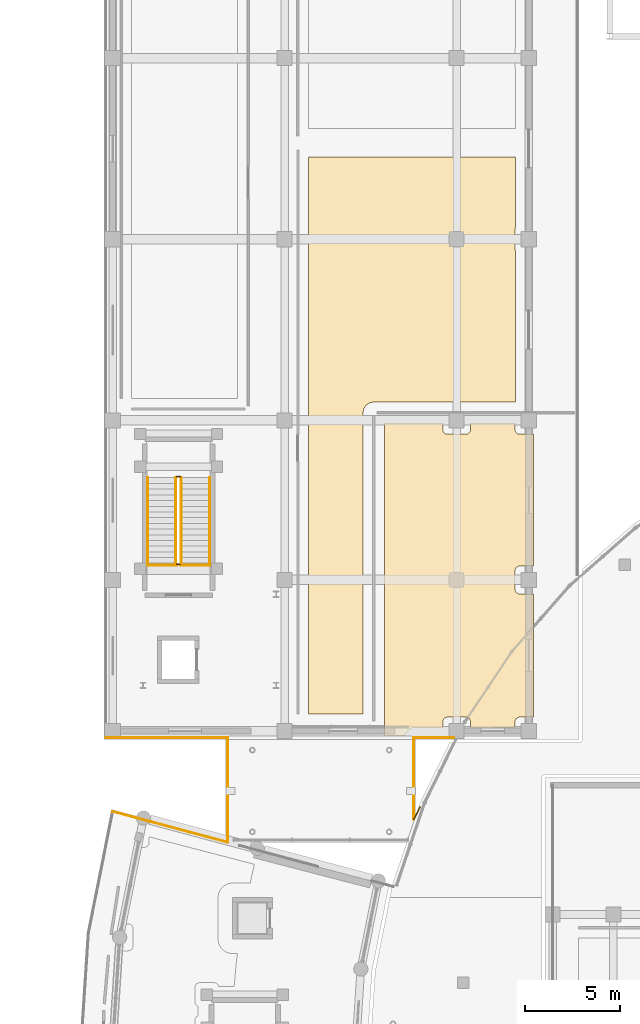
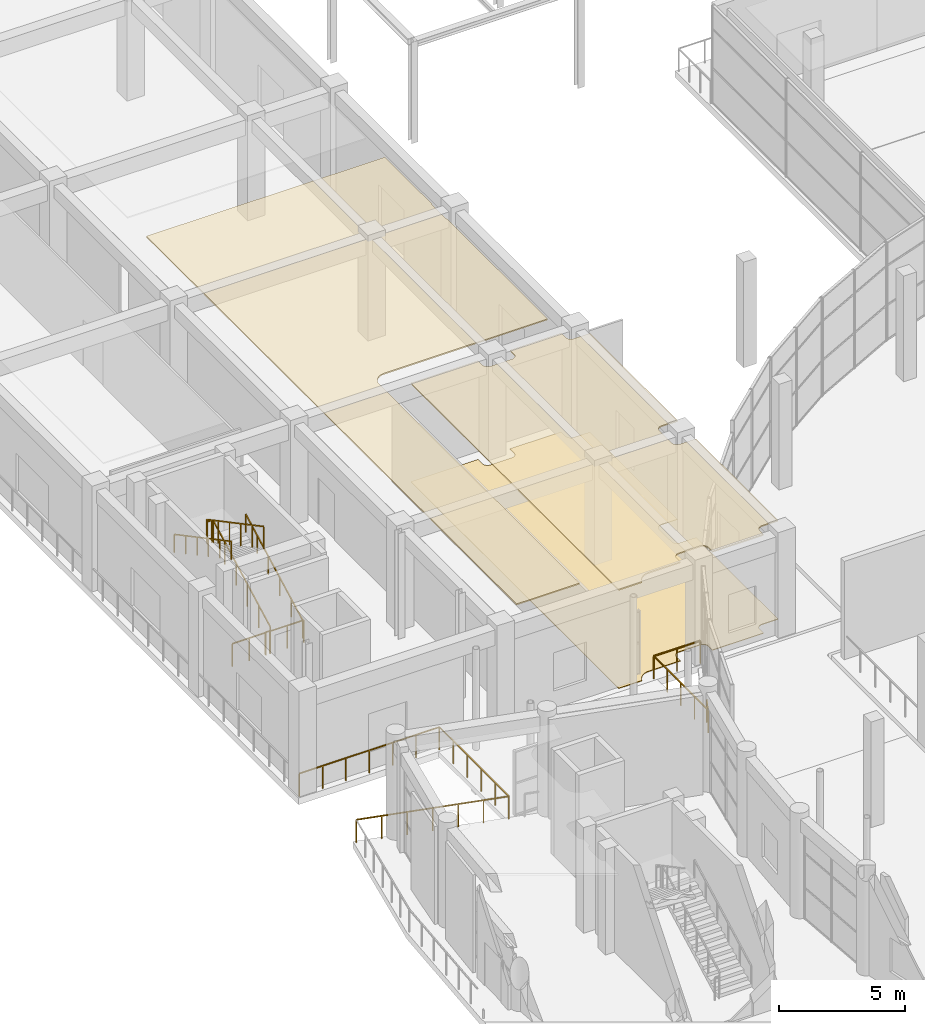
# One storey, part 90 of 99: 14 railings, 3 coverings.
"""IFC4 building model written with IfcOpenShell, lengths in metres."""

from ifc_helpers import new_model, si_unit, direction, frame, origin, origin_2d, place, context, subcontext, project, spatial, polyline, rectangle, outline, extrude, material, layer, layer_set, type_object, element, save


model = new_model("IFC4")

# Units and contexts
model_context = context("Model", 3, precision=1e-05, world=origin(), true_north=direction((0.0, 1.0)))
body_context = subcontext(model_context, "Body", "Model", "MODEL_VIEW")
ifc_project = project(units=[si_unit("LENGTHUNIT", "METRE"), si_unit("AREAUNIT", "SQUARE_METRE"), si_unit("VOLUMEUNIT", "CUBIC_METRE"), si_unit("PLANEANGLEUNIT", "RADIAN"), si_unit("MASSUNIT", "GRAM", prefix="KILO")], contexts=[model_context])

# Site, building, storey
site_placement = place(None, origin())
site = spatial("IfcSite", under=ifc_project, at=site_placement, CompositionType="ELEMENT")
building_placement = place(site_placement, origin())
building = spatial("IfcBuilding", under=site, at=building_placement, Name="Saryqyr Civic Hall", CompositionType="ELEMENT")
storey_placement = place(building_placement, origin())
storey = spatial("IfcBuildingStorey", under=building, at=storey_placement, Name="L00", CompositionType="ELEMENT", Elevation=0.0)

# Coverings
ifc_material_1 = material(Name="Mineral-fibre acoustic ceiling tile", Category="acoustic_tile")
ifc_layer_1 = layer(ifc_material_1, 0.06005859375, Name="Mineral-fibre acoustic ceiling tile")
ifc_layer_set_1 = layer_set([ifc_layer_1], Name="Mineral-fibre acoustic ceiling tile")
covering_type_1 = type_object("IfcCoveringType", Name="INT-COV-CEIL-60", PredefinedType="CEILING", material=ifc_layer_set_1)
covering_1_placement = place(storey_placement, frame((0.0, 0.0, 4.739990234375)))
element("IfcCovering", 1, at=covering_1_placement, inside=storey, type_object=covering_type_1, Name="Acoustic ceiling West Civic Exhibition Gallery", PredefinedType="CEILING", context=body_context, shape_type="SweptSolid", body=[
    extrude(outline(polyline([(22.35009765625, 117.449951171875), (25.419921875, 117.449951171875), (25.419921875, 117.1201171875), (25.421142578125, 117.095458984375), (25.4248046875, 117.0712890625), (25.430908203125, 117.04736328125), (25.43896484375, 117.0244140625), (25.449462890625, 117.002197265625), (25.462158203125, 116.981201171875), (25.476806640625, 116.96142578125), (25.4931640625, 116.943115234375), (25.511474609375, 116.9267578125), (25.531005859375, 116.912109375), (25.55224609375, 116.8994140625), (25.57421875, 116.888916015625), (25.597412109375, 116.880859375), (25.62109375, 116.874755859375), (25.6455078125, 116.87109375), (25.669921875, 116.8701171875), (26.6298828125, 116.8701171875), (26.654541015625, 116.87109375), (26.6787109375, 116.874755859375), (26.70263671875, 116.880859375), (26.7255859375, 116.888916015625), (26.747802734375, 116.8994140625), (26.768798828125, 116.912109375), (26.78857421875, 116.9267578125), (26.806884765625, 116.943115234375), (26.8232421875, 116.96142578125), (26.837890625, 116.981201171875), (26.8505859375, 117.002197265625), (26.861083984375, 117.0244140625), (26.869140625, 117.04736328125), (26.875244140625, 117.0712890625), (26.87890625, 117.095458984375), (26.8798828125, 117.1201171875), (26.8798828125, 117.449951171875), (29.219970703125, 117.449951171875), (29.219970703125, 117.1201171875), (29.22119140625, 117.095458984375), (29.224853515625, 117.0712890625), (29.230712890625, 117.04736328125), (29.239013671875, 117.0244140625), (29.24951171875, 117.002197265625), (29.26220703125, 116.981201171875), (29.276611328125, 116.96142578125), (29.293212890625, 116.943115234375), (29.311279296875, 116.9267578125), (29.3310546875, 116.912109375), (29.352294921875, 116.8994140625), (29.374267578125, 116.888916015625), (29.3974609375, 116.880859375), (29.421142578125, 116.874755859375), (29.445556640625, 116.87109375), (29.469970703125, 116.8701171875), (30.199951171875, 116.8701171875), (30.199951171875, 109.929931640625), (29.469970703125, 109.929931640625), (29.445556640625, 109.9287109375), (29.421142578125, 109.92529296875), (29.3974609375, 109.919189453125), (29.374267578125, 109.910888671875), (29.352294921875, 109.900390625), (29.3310546875, 109.887939453125), (29.311279296875, 109.873291015625), (29.293212890625, 109.856689453125), (29.276611328125, 109.838623046875), (29.26220703125, 109.81884765625), (29.24951171875, 109.7978515625), (29.239013671875, 109.775634765625), (29.230712890625, 109.752685546875), (29.224853515625, 109.728759765625), (29.22119140625, 109.70458984375), (29.219970703125, 109.679931640625), (29.219970703125, 108.719970703125), (29.22119140625, 108.695556640625), (29.224853515625, 108.671142578125), (29.230712890625, 108.6474609375), (29.239013671875, 108.624267578125), (29.24951171875, 108.602294921875), (29.26220703125, 108.5810546875), (29.276611328125, 108.561279296875), (29.293212890625, 108.543212890625), (29.311279296875, 108.526611328125), (29.3310546875, 108.51220703125), (29.352294921875, 108.49951171875), (29.374267578125, 108.489013671875), (29.3974609375, 108.480712890625), (29.421142578125, 108.474853515625), (29.445556640625, 108.47119140625), (29.469970703125, 108.469970703125), (30.199951171875, 108.469970703125), (30.199951171875, 101.97998046875), (29.469970703125, 101.97998046875), (29.445556640625, 101.978759765625), (29.421142578125, 101.97509765625), (29.3974609375, 101.96923828125), (29.374267578125, 101.9609375), (29.352294921875, 101.950439453125), (29.3310546875, 101.93798828125), (29.311279296875, 101.92333984375), (29.293212890625, 101.90673828125), (29.276611328125, 101.888671875), (29.26220703125, 101.868896484375), (29.24951171875, 101.847900390625), (29.239013671875, 101.82568359375), (29.230712890625, 101.802490234375), (29.224853515625, 101.77880859375), (29.22119140625, 101.75439453125), (29.219970703125, 101.72998046875), (29.219970703125, 101.426513671875), (26.8798828125, 101.423828125), (26.8798828125, 101.72998046875), (26.87890625, 101.75439453125), (26.875244140625, 101.77880859375), (26.869140625, 101.802490234375), (26.861083984375, 101.82568359375), (26.8505859375, 101.847900390625), (26.837890625, 101.868896484375), (26.8232421875, 101.888671875), (26.806884765625, 101.90673828125), (26.78857421875, 101.92333984375), (26.768798828125, 101.93798828125), (26.747802734375, 101.950439453125), (26.7255859375, 101.9609375), (26.70263671875, 101.96923828125), (26.6787109375, 101.97509765625), (26.654541015625, 101.978759765625), (26.6298828125, 101.97998046875), (25.669921875, 101.97998046875), (25.6455078125, 101.978759765625), (25.62109375, 101.97509765625), (25.597412109375, 101.96923828125), (25.57421875, 101.9609375), (25.55224609375, 101.950439453125), (25.531005859375, 101.93798828125), (25.511474609375, 101.92333984375), (25.4931640625, 101.90673828125), (25.476806640625, 101.888671875), (25.462158203125, 101.868896484375), (25.449462890625, 101.847900390625), (25.43896484375, 101.82568359375), (25.430908203125, 101.802490234375), (25.4248046875, 101.77880859375), (25.421142578125, 101.75439453125), (25.419921875, 101.72998046875), (25.419921875, 101.422119140625), (23.961669921875, 101.420654296875), (23.905029296875, 101.41748046875), (23.84912109375, 101.40869140625), (23.79443359375, 101.394287109375), (23.741455078125, 101.374267578125), (23.69091796875, 101.34912109375), (23.643310546875, 101.318603515625), (23.598876953125, 101.283447265625), (23.558349609375, 101.243896484375), (23.522216796875, 101.2001953125), (23.490478515625, 101.1533203125), (23.4482421875, 101.082763671875), (23.42041015625, 101.0302734375), (23.408447265625, 101.0), (22.35009765625, 101.0), (22.35009765625, 117.449951171875)])), origin(), (0.0, 0.0, 1.0), 0.06005859375),
])
covering_2_placement = place(storey_placement, frame((0.0, 0.0, 4.739990234375)))
element("IfcCovering", 2, at=covering_2_placement, inside=storey, type_object=covering_type_1, Name="Acoustic ceiling Public Municipal Archive Inquiry Room", PredefinedType="CEILING", context=body_context, shape_type="SweptSolid", body=[
    extrude(outline(polyline([(29.24951171875, 127.727783203125), (29.239013671875, 127.705810546875), (29.230712890625, 127.6826171875), (29.224853515625, 127.65869140625), (29.22119140625, 127.634521484375), (29.219970703125, 127.610107421875), (29.219970703125, 126.64990234375), (29.22119140625, 126.62548828125), (29.224853515625, 126.601318359375), (29.230712890625, 126.577392578125), (29.239013671875, 126.55419921875), (29.24951171875, 126.5322265625), (29.25, 126.53125), (29.25, 118.569091796875), (21.77978515625, 118.555908203125), (21.72607421875, 118.552978515625), (21.672607421875, 118.545166015625), (21.62060546875, 118.531982421875), (21.569580078125, 118.513671875), (21.52099609375, 118.490478515625), (21.474853515625, 118.462890625), (21.431396484375, 118.4306640625), (21.3916015625, 118.394287109375), (21.35546875, 118.3544921875), (21.323486328125, 118.31103515625), (21.295654296875, 118.264892578125), (21.272705078125, 118.216064453125), (21.25439453125, 118.165283203125), (21.241455078125, 118.113037109375), (21.2333984375, 118.059814453125), (21.23095703125, 118.005859375), (21.22998046875, 102.14990234375), (18.35009765625, 102.14990234375), (18.35009765625, 131.449951171875), (29.25, 131.449951171875), (29.25, 127.728759765625), (29.24951171875, 127.727783203125)])), origin(), (0.0, 0.0, 1.0), 0.06005859375),
])
ifc_material_2 = material(Name="Polished terrazzo tile", Category="stone")
ifc_layer_2 = layer(ifc_material_2, 0.030029296875, Name="Polished terrazzo tile")
ifc_layer_set_2 = layer_set([ifc_layer_2], Name="Polished terrazzo tile")
covering_type_2 = type_object("IfcCoveringType", Name="INT-COV-FLR-30", PredefinedType="FLOORING", material=ifc_layer_set_2)
covering_3_placement = place(storey_placement, origin())
element("IfcCovering", 3, at=covering_3_placement, inside=storey, type_object=covering_type_2, Name="Polished terrazzo flooring West Civic Exhibition Gallery", PredefinedType="FLOORING", context=body_context, shape_type="SweptSolid", body=[
    extrude(outline(polyline([(22.35009765625, 117.449951171875), (25.419921875, 117.449951171875), (25.419921875, 117.1201171875), (25.421142578125, 117.095458984375), (25.4248046875, 117.0712890625), (25.430908203125, 117.04736328125), (25.43896484375, 117.0244140625), (25.449462890625, 117.002197265625), (25.462158203125, 116.981201171875), (25.476806640625, 116.96142578125), (25.4931640625, 116.943115234375), (25.511474609375, 116.9267578125), (25.531005859375, 116.912109375), (25.55224609375, 116.8994140625), (25.57421875, 116.888916015625), (25.597412109375, 116.880859375), (25.62109375, 116.874755859375), (25.6455078125, 116.87109375), (25.669921875, 116.8701171875), (26.6298828125, 116.8701171875), (26.654541015625, 116.87109375), (26.6787109375, 116.874755859375), (26.70263671875, 116.880859375), (26.7255859375, 116.888916015625), (26.747802734375, 116.8994140625), (26.768798828125, 116.912109375), (26.78857421875, 116.9267578125), (26.806884765625, 116.943115234375), (26.8232421875, 116.96142578125), (26.837890625, 116.981201171875), (26.8505859375, 117.002197265625), (26.861083984375, 117.0244140625), (26.869140625, 117.04736328125), (26.875244140625, 117.0712890625), (26.87890625, 117.095458984375), (26.8798828125, 117.1201171875), (26.8798828125, 117.449951171875), (29.219970703125, 117.449951171875), (29.219970703125, 117.1201171875), (29.22119140625, 117.095458984375), (29.224853515625, 117.0712890625), (29.230712890625, 117.04736328125), (29.239013671875, 117.0244140625), (29.24951171875, 117.002197265625), (29.26220703125, 116.981201171875), (29.276611328125, 116.96142578125), (29.293212890625, 116.943115234375), (29.311279296875, 116.9267578125), (29.3310546875, 116.912109375), (29.352294921875, 116.8994140625), (29.374267578125, 116.888916015625), (29.3974609375, 116.880859375), (29.421142578125, 116.874755859375), (29.445556640625, 116.87109375), (29.469970703125, 116.8701171875), (30.199951171875, 116.8701171875), (30.199951171875, 109.929931640625), (29.469970703125, 109.929931640625), (29.445556640625, 109.9287109375), (29.421142578125, 109.92529296875), (29.3974609375, 109.919189453125), (29.374267578125, 109.910888671875), (29.352294921875, 109.900390625), (29.3310546875, 109.887939453125), (29.311279296875, 109.873291015625), (29.293212890625, 109.856689453125), (29.276611328125, 109.838623046875), (29.26220703125, 109.81884765625), (29.24951171875, 109.7978515625), (29.239013671875, 109.775634765625), (29.230712890625, 109.752685546875), (29.224853515625, 109.728759765625), (29.22119140625, 109.70458984375), (29.219970703125, 109.679931640625), (29.219970703125, 108.719970703125), (29.22119140625, 108.695556640625), (29.224853515625, 108.671142578125), (29.230712890625, 108.6474609375), (29.239013671875, 108.624267578125), (29.24951171875, 108.602294921875), (29.26220703125, 108.5810546875), (29.276611328125, 108.561279296875), (29.293212890625, 108.543212890625), (29.311279296875, 108.526611328125), (29.3310546875, 108.51220703125), (29.352294921875, 108.49951171875), (29.374267578125, 108.489013671875), (29.3974609375, 108.480712890625), (29.421142578125, 108.474853515625), (29.445556640625, 108.47119140625), (29.469970703125, 108.469970703125), (30.199951171875, 108.469970703125), (30.199951171875, 101.97998046875), (29.469970703125, 101.97998046875), (29.445556640625, 101.978759765625), (29.421142578125, 101.97509765625), (29.3974609375, 101.96923828125), (29.374267578125, 101.9609375), (29.352294921875, 101.950439453125), (29.3310546875, 101.93798828125), (29.311279296875, 101.92333984375), (29.293212890625, 101.90673828125), (29.276611328125, 101.888671875), (29.26220703125, 101.868896484375), (29.24951171875, 101.847900390625), (29.239013671875, 101.82568359375), (29.230712890625, 101.802490234375), (29.224853515625, 101.77880859375), (29.22119140625, 101.75439453125), (29.219970703125, 101.72998046875), (29.219970703125, 101.426513671875), (26.8798828125, 101.423828125), (26.8798828125, 101.72998046875), (26.87890625, 101.75439453125), (26.875244140625, 101.77880859375), (26.869140625, 101.802490234375), (26.861083984375, 101.82568359375), (26.8505859375, 101.847900390625), (26.837890625, 101.868896484375), (26.8232421875, 101.888671875), (26.806884765625, 101.90673828125), (26.78857421875, 101.92333984375), (26.768798828125, 101.93798828125), (26.747802734375, 101.950439453125), (26.7255859375, 101.9609375), (26.70263671875, 101.96923828125), (26.6787109375, 101.97509765625), (26.654541015625, 101.978759765625), (26.6298828125, 101.97998046875), (25.669921875, 101.97998046875), (25.6455078125, 101.978759765625), (25.62109375, 101.97509765625), (25.597412109375, 101.96923828125), (25.57421875, 101.9609375), (25.55224609375, 101.950439453125), (25.531005859375, 101.93798828125), (25.511474609375, 101.92333984375), (25.4931640625, 101.90673828125), (25.476806640625, 101.888671875), (25.462158203125, 101.868896484375), (25.449462890625, 101.847900390625), (25.43896484375, 101.82568359375), (25.430908203125, 101.802490234375), (25.4248046875, 101.77880859375), (25.421142578125, 101.75439453125), (25.419921875, 101.72998046875), (25.419921875, 101.422119140625), (23.961669921875, 101.420654296875), (23.905029296875, 101.41748046875), (23.84912109375, 101.40869140625), (23.79443359375, 101.394287109375), (23.741455078125, 101.374267578125), (23.69091796875, 101.34912109375), (23.643310546875, 101.318603515625), (23.598876953125, 101.283447265625), (23.558349609375, 101.243896484375), (23.522216796875, 101.2001953125), (23.490478515625, 101.1533203125), (23.4482421875, 101.082763671875), (23.42041015625, 101.0302734375), (23.408447265625, 101.0), (22.35009765625, 101.0), (22.35009765625, 117.449951171875)])), origin(), (0.0, 0.0, 1.0), 0.030029296875),
])

# Railings
ifc_material_3 = material(Name="Warm brushed brass and laminated glass", Category="glass")
ifc_layer_3 = layer(ifc_material_3, 0.06005859375, Name="Warm brushed brass and laminated glass")
ifc_layer_set_3 = layer_set([ifc_layer_3], Name="Warm brushed brass and laminated glass")
railing_type_1 = type_object("IfcRailingType", Name="INT-RLG-BAL-1100", PredefinedType="BALUSTRADE", material=ifc_layer_set_3)
railing_1_placement = place(storey_placement, frame((11.669921875, 110.080078125, 0.159423828125)))
element("IfcRailing", 4, at=railing_1_placement, inside=storey, type_object=railing_type_1, Name="L00 ST-3 stair guard 1", PredefinedType="BALUSTRADE", context=body_context, shape_type="SweptSolid", body=[
    extrude(rectangle(XDim=0.048095703125, YDim=0.048095703125, at=origin_2d()), frame((0.0, 0.0, 1.076171875), z_axis=(0.0, 0.883115719457, 0.469155225962), x_axis=(-1.0, 0.0, 0.0)), (0.0, 0.0, 1.0), 5.095703125),
    extrude(rectangle(XDim=0.0419921875, YDim=0.0419921875, at=origin_2d()), origin(), (0.0, 0.0, 1.0), 1.052001953125),
    extrude(rectangle(XDim=0.0419921875, YDim=0.0419921875, at=origin_2d()), frame((0.0, 0.89990234375, 0.47802734375)), (0.0, 0.0, 1.0), 1.052001953125),
    extrude(rectangle(XDim=0.0419921875, YDim=0.0419921875, at=origin_2d()), frame((0.0, 1.800048828125, 0.956298828125)), (0.0, 0.0, 1.0), 1.052001953125),
    extrude(rectangle(XDim=0.0419921875, YDim=0.0419921875, at=origin_2d()), frame((0.0, 2.699951171875, 1.434326171875)), (0.0, 0.0, 1.0), 1.052001953125),
    extrude(rectangle(XDim=0.0419921875, YDim=0.0419921875, at=origin_2d()), frame((0.0, 3.60009765625, 1.91259765625)), (0.0, 0.0, 1.0), 1.052001953125),
    extrude(rectangle(XDim=0.0419921875, YDim=0.0419921875, at=origin_2d()), frame((0.0, 4.5, 2.390625)), (0.0, 0.0, 1.0), 1.052001953125),
])
railing_2_placement = place(storey_placement, frame((11.6201171875, 114.6298828125, 2.550048828125)))
element("IfcRailing", 5, at=railing_2_placement, inside=storey, type_object=railing_type_1, Name="L00 ST-3 stair guard 2", PredefinedType="BALUSTRADE", context=body_context, shape_type="SweptSolid", body=[
    extrude(rectangle(XDim=0.048095703125, YDim=0.048095703125, at=origin_2d()), frame((0.0, 0.0, 1.076171875), z_axis=(-1.0, 0.0, 0.0), x_axis=(0.0, -1.0, 0.0)), (0.0, 0.0, 1.0), 0.2001953125),
    extrude(rectangle(XDim=0.0419921875, YDim=0.0419921875, at=origin_2d()), origin(), (0.0, 0.0, 1.0), 1.052001953125),
    extrude(rectangle(XDim=0.0419921875, YDim=0.0419921875, at=origin_2d()), frame((-0.2001953125, 0.0, 0.0)), (0.0, 0.0, 1.0), 1.052001953125),
])
railing_3_placement = place(storey_placement, frame((11.3701171875, 114.580078125, 2.70947265625)))
element("IfcRailing", 6, at=railing_3_placement, inside=storey, type_object=railing_type_1, Name="L00 ST-3 stair guard 3", PredefinedType="BALUSTRADE", context=body_context, shape_type="SweptSolid", body=[
    extrude(rectangle(XDim=0.048095703125, YDim=0.048095703125, at=origin_2d()), frame((0.0, 0.0, 1.076171875), z_axis=(0.0, -0.883115719457, 0.469155225962), x_axis=(1.0, 0.0, 0.0)), (0.0, 0.0, 1.0), 5.095703125),
    extrude(rectangle(XDim=0.0419921875, YDim=0.0419921875, at=origin_2d()), origin(), (0.0, 0.0, 1.0), 1.052001953125),
    extrude(rectangle(XDim=0.0419921875, YDim=0.0419921875, at=origin_2d()), frame((0.0, -0.89990234375, 0.47802734375)), (0.0, 0.0, 1.0), 1.052001953125),
    extrude(rectangle(XDim=0.0419921875, YDim=0.0419921875, at=origin_2d()), frame((0.0, -1.800048828125, 0.956298828125)), (0.0, 0.0, 1.0), 1.052001953125),
    extrude(rectangle(XDim=0.0419921875, YDim=0.0419921875, at=origin_2d()), frame((0.0, -2.699951171875, 1.434326171875)), (0.0, 0.0, 1.0), 1.052001953125),
    extrude(rectangle(XDim=0.0419921875, YDim=0.0419921875, at=origin_2d()), frame((0.0, -3.60009765625, 1.91259765625)), (0.0, 0.0, 1.0), 1.052001953125),
    extrude(rectangle(XDim=0.0419921875, YDim=0.0419921875, at=origin_2d()), frame((0.0, -4.5, 2.390625)), (0.0, 0.0, 1.0), 1.052001953125),
])
railing_4_placement = place(storey_placement, frame((11.6201171875, 110.030029296875, 0.0)))
element("IfcRailing", 7, at=railing_4_placement, inside=storey, type_object=railing_type_1, Name="L00 ST-3 stair guard 4", PredefinedType="BALUSTRADE", context=body_context, shape_type="SweptSolid", body=[
    extrude(rectangle(XDim=0.048095703125, YDim=0.048095703125, at=origin_2d()), frame((0.0, 0.0, 1.076171875), z_axis=(-1.0, 0.0, 0.0), x_axis=(0.0, -1.0, 0.0)), (0.0, 0.0, 1.0), 0.2001953125),
    extrude(rectangle(XDim=0.0419921875, YDim=0.0419921875, at=origin_2d()), origin(), (0.0, 0.0, 1.0), 1.052001953125),
    extrude(rectangle(XDim=0.0419921875, YDim=0.0419921875, at=origin_2d()), frame((-0.2001953125, 0.0, 0.0)), (0.0, 0.0, 1.0), 1.052001953125),
])
railing_5_placement = place(storey_placement, frame((14.10009765625, 95.3916015625, 0.0)))
element("IfcRailing", 8, at=railing_5_placement, inside=storey, type_object=railing_type_1, Name="Interior deck safety balustrade L00-005", PredefinedType="BALUSTRADE", context=body_context, shape_type="SweptSolid", body=[
    extrude(rectangle(XDim=0.048095703125, YDim=0.048095703125, at=origin_2d()), frame((0.0, 0.0, 1.09619140625), z_axis=(0.0, 1.0, 0.0), x_axis=(-1.0, 0.0, 0.0)), (0.0, 0.0, 1.0), 5.50830078125),
    extrude(rectangle(XDim=0.0419921875, YDim=0.0419921875, at=origin_2d()), origin(), (0.0, 0.0, 1.0), 1.072021484375),
    extrude(rectangle(XDim=0.0419921875, YDim=0.0419921875, at=origin_2d()), frame((0.0, 1.1015625, 0.0)), (0.0, 0.0, 1.0), 1.072021484375),
    extrude(rectangle(XDim=0.0419921875, YDim=0.0419921875, at=origin_2d()), frame((0.0, 2.203369140625, 0.0)), (0.0, 0.0, 1.0), 1.072021484375),
    extrude(rectangle(XDim=0.0419921875, YDim=0.0419921875, at=origin_2d()), frame((0.0, 3.304931640625, 0.0)), (0.0, 0.0, 1.0), 1.072021484375),
    extrude(rectangle(XDim=0.0419921875, YDim=0.0419921875, at=origin_2d()), frame((0.0, 4.40673828125, 0.0)), (0.0, 0.0, 1.0), 1.072021484375),
    extrude(rectangle(XDim=0.0419921875, YDim=0.0419921875, at=origin_2d()), frame((0.0, 5.50830078125, 0.0)), (0.0, 0.0, 1.0), 1.072021484375),
])
railing_6_placement = place(storey_placement, frame((14.10009765625, 100.89990234375, 0.0)))
element("IfcRailing", 9, at=railing_6_placement, inside=storey, type_object=railing_type_1, Name="Interior deck safety balustrade L00-006", PredefinedType="BALUSTRADE", context=body_context, shape_type="SweptSolid", body=[
    extrude(rectangle(XDim=0.048095703125, YDim=0.048095703125, at=origin_2d()), frame((0.0, 0.0, 1.09619140625), z_axis=(-1.0, 0.0, 0.0), x_axis=(0.0, -1.0, 0.0)), (0.0, 0.0, 1.0), 6.400146484375),
    extrude(rectangle(XDim=0.0419921875, YDim=0.0419921875, at=origin_2d()), origin(), (0.0, 0.0, 1.0), 1.072021484375),
    extrude(rectangle(XDim=0.0419921875, YDim=0.0419921875, at=origin_2d()), frame((-1.066650390625, 0.0, 0.0)), (0.0, 0.0, 1.0), 1.072021484375),
    extrude(rectangle(XDim=0.0419921875, YDim=0.0419921875, at=origin_2d()), frame((-2.13330078125, 0.0, 0.0)), (0.0, 0.0, 1.0), 1.072021484375),
    extrude(rectangle(XDim=0.0419921875, YDim=0.0419921875, at=origin_2d()), frame((-3.2001953125, 0.0, 0.0)), (0.0, 0.0, 1.0), 1.072021484375),
    extrude(rectangle(XDim=0.0419921875, YDim=0.0419921875, at=origin_2d()), frame((-4.266845703125, 0.0, 0.0)), (0.0, 0.0, 1.0), 1.072021484375),
    extrude(rectangle(XDim=0.0419921875, YDim=0.0419921875, at=origin_2d()), frame((-5.33349609375, 0.0, 0.0)), (0.0, 0.0, 1.0), 1.072021484375),
    extrude(rectangle(XDim=0.0419921875, YDim=0.0419921875, at=origin_2d()), frame((-6.400146484375, 0.0, 0.0)), (0.0, 0.0, 1.0), 1.072021484375),
])
railing_7_placement = place(storey_placement, frame((8.056396484375, 97.010986328125, 0.0)))
element("IfcRailing", 10, at=railing_7_placement, inside=storey, type_object=railing_type_1, Name="Interior deck safety balustrade L00-061", PredefinedType="BALUSTRADE", context=body_context, shape_type="SweptSolid", body=[
    extrude(rectangle(XDim=0.048095703125, YDim=0.048095703125, at=origin_2d()), frame((0.0, 0.0, 1.09619140625), z_axis=(0.965926628706, -0.258816050422, 0.0), x_axis=(0.258816050422, 0.965926628706, 0.0)), (0.0, 0.0, 1.0), 6.2568359375),
    extrude(rectangle(XDim=0.0419921875, YDim=0.0419921875, at=origin_2d()), origin(), (0.0, 0.0, 1.0), 1.072021484375),
    extrude(rectangle(XDim=0.0419921875, YDim=0.0419921875, at=origin_2d()), frame((1.00732421875, -0.27001953125, 0.0)), (0.0, 0.0, 1.0), 1.072021484375),
    extrude(rectangle(XDim=0.0419921875, YDim=0.0419921875, at=origin_2d()), frame((2.0146484375, -0.539794921875, 0.0)), (0.0, 0.0, 1.0), 1.072021484375),
    extrude(rectangle(XDim=0.0419921875, YDim=0.0419921875, at=origin_2d()), frame((3.02197265625, -0.8095703125, 0.0)), (0.0, 0.0, 1.0), 1.072021484375),
    extrude(rectangle(XDim=0.0419921875, YDim=0.0419921875, at=origin_2d()), frame((4.029052734375, -1.07958984375, 0.0)), (0.0, 0.0, 1.0), 1.072021484375),
    extrude(rectangle(XDim=0.0419921875, YDim=0.0419921875, at=origin_2d()), frame((5.036376953125, -1.349609375, 0.0)), (0.0, 0.0, 1.0), 1.072021484375),
    extrude(rectangle(XDim=0.0419921875, YDim=0.0419921875, at=origin_2d()), frame((6.043701171875, -1.619384765625, 0.0)), (0.0, 0.0, 1.0), 1.072021484375),
])
railing_8_placement = place(storey_placement, frame((26.01513671875, 100.89990234375, 0.0)))
element("IfcRailing", 11, at=railing_8_placement, inside=storey, type_object=railing_type_1, Name="Interior deck safety balustrade L00-068", PredefinedType="BALUSTRADE", context=body_context, shape_type="SweptSolid", body=[
    extrude(rectangle(XDim=0.048095703125, YDim=0.048095703125, at=origin_2d()), frame((0.0, 0.0, 1.09619140625), z_axis=(-1.0, 0.0, 0.0), x_axis=(0.0, -1.0, 0.0)), (0.0, 0.0, 1.0), 2.115234375),
    extrude(rectangle(XDim=0.0419921875, YDim=0.0419921875, at=origin_2d()), origin(), (0.0, 0.0, 1.0), 1.072021484375),
    extrude(rectangle(XDim=0.0419921875, YDim=0.0419921875, at=origin_2d()), frame((-1.0576171875, 0.0, 0.0)), (0.0, 0.0, 1.0), 1.072021484375),
    extrude(rectangle(XDim=0.0419921875, YDim=0.0419921875, at=origin_2d()), frame((-2.115234375, 0.0, 0.0)), (0.0, 0.0, 1.0), 1.072021484375),
])
railing_9_placement = place(storey_placement, frame((23.89990234375, 100.89990234375, 0.0)))
element("IfcRailing", 12, at=railing_9_placement, inside=storey, type_object=railing_type_1, Name="Interior deck safety balustrade L00-069", PredefinedType="BALUSTRADE", context=body_context, shape_type="SweptSolid", body=[
    extrude(rectangle(XDim=0.048095703125, YDim=0.048095703125, at=origin_2d()), frame((0.0, 0.0, 1.09619140625), z_axis=(0.0, -1.0, 0.0), x_axis=(1.0, 0.0, 0.0)), (0.0, 0.0, 1.0), 4.2890625),
    extrude(rectangle(XDim=0.0419921875, YDim=0.0419921875, at=origin_2d()), origin(), (0.0, 0.0, 1.0), 1.072021484375),
    extrude(rectangle(XDim=0.0419921875, YDim=0.0419921875, at=origin_2d()), frame((0.0, -1.072265625, 0.0)), (0.0, 0.0, 1.0), 1.072021484375),
    extrude(rectangle(XDim=0.0419921875, YDim=0.0419921875, at=origin_2d()), frame((0.0, -2.14453125, 0.0)), (0.0, 0.0, 1.0), 1.072021484375),
    extrude(rectangle(XDim=0.0419921875, YDim=0.0419921875, at=origin_2d()), frame((0.0, -3.216796875, 0.0)), (0.0, 0.0, 1.0), 1.072021484375),
    extrude(rectangle(XDim=0.0419921875, YDim=0.0419921875, at=origin_2d()), frame((0.0, -4.2890625, 0.0)), (0.0, 0.0, 1.0), 1.072021484375),
])
railing_10_placement = place(storey_placement, frame((23.89990234375, 96.61083984375, 0.0)))
element("IfcRailing", 13, at=railing_10_placement, inside=storey, type_object=railing_type_1, Name="Interior deck safety balustrade L00-070", PredefinedType="BALUSTRADE", context=body_context, shape_type="SweptSolid", body=[
    extrude(rectangle(XDim=0.048095703125, YDim=0.048095703125, at=origin_2d()), frame((0.0, 0.0, 1.09619140625), z_axis=(0.442520323725, 0.896758475338, 0.0), x_axis=(-0.896758475338, 0.442520323725, 0.0)), (0.0, 0.0, 1.0), 0.70849609375),
    extrude(rectangle(XDim=0.0419921875, YDim=0.0419921875, at=origin_2d()), origin(), (0.0, 0.0, 1.0), 1.072021484375),
    extrude(rectangle(XDim=0.0419921875, YDim=0.0419921875, at=origin_2d()), frame((0.3134765625, 0.63525390625, 0.0)), (0.0, 0.0, 1.0), 1.072021484375),
])
for number, where, name in (
    (14, (9.885009765625, 109.97998046875, 0.0), "Interior deck safety balustrade L00-073"),
    (15, (11.6201171875, 109.97998046875, 0.0), "Interior deck safety balustrade L00-074"),
):
    element("IfcRailing", number, at=place(storey_placement, frame(where)), inside=storey, type_object=railing_type_1, Name=name, PredefinedType="BALUSTRADE", context=body_context, shape_type="SweptSolid", body=[
        extrude(rectangle(XDim=0.048095703125, YDim=0.048095703125, at=origin_2d()), frame((0.0, 0.0, 1.09619140625), z_axis=(1.0, 0.0, 0.0), x_axis=(0.0, 1.0, 0.0)), (0.0, 0.0, 1.0), 1.534912109375),
        extrude(rectangle(XDim=0.0419921875, YDim=0.0419921875, at=origin_2d()), origin(), (0.0, 0.0, 1.0), 1.072021484375),
        extrude(rectangle(XDim=0.0419921875, YDim=0.0419921875, at=origin_2d()), frame((0.767578125, 0.0, 0.0)), (0.0, 0.0, 1.0), 1.072021484375),
        extrude(rectangle(XDim=0.0419921875, YDim=0.0419921875, at=origin_2d()), frame((1.534912109375, 0.0, 0.0)), (0.0, 0.0, 1.0), 1.072021484375),
    ])
ifc_material_4 = material(Name="Stainless steel", Category="steel")
ifc_layer_4 = layer(ifc_material_4, 0.050048828125, Name="Stainless steel")
ifc_layer_set_4 = layer_set([ifc_layer_4], Name="Stainless steel")
railing_type_2 = type_object("IfcRailingType", Name="INT-RLG-HND-900", PredefinedType="HANDRAIL", material=ifc_layer_set_4)
railing_11_placement = place(storey_placement, frame((13.14990234375, 110.080078125, 0.159423828125)))
element("IfcRailing", 16, at=railing_11_placement, inside=storey, type_object=railing_type_2, Name="L00 ST-3 stair handrail 1", PredefinedType="HANDRAIL", context=body_context, shape_type="SweptSolid", body=[
    extrude(rectangle(XDim=0.048095703125, YDim=0.048095703125, at=origin_2d()), frame((0.0, 0.0, 0.8759765625), z_axis=(0.0, 0.883115719457, 0.469155225962), x_axis=(-1.0, 0.0, 0.0)), (0.0, 0.0, 1.0), 5.095703125),
    extrude(rectangle(XDim=0.0419921875, YDim=0.0419921875, at=origin_2d()), origin(), (0.0, 0.0, 1.0), 0.851806640625),
    extrude(rectangle(XDim=0.0419921875, YDim=0.0419921875, at=origin_2d()), frame((0.0, 0.89990234375, 0.47802734375)), (0.0, 0.0, 1.0), 0.851806640625),
    extrude(rectangle(XDim=0.0419921875, YDim=0.0419921875, at=origin_2d()), frame((0.0, 1.800048828125, 0.956298828125)), (0.0, 0.0, 1.0), 0.851806640625),
    extrude(rectangle(XDim=0.0419921875, YDim=0.0419921875, at=origin_2d()), frame((0.0, 2.699951171875, 1.434326171875)), (0.0, 0.0, 1.0), 0.851806640625),
    extrude(rectangle(XDim=0.0419921875, YDim=0.0419921875, at=origin_2d()), frame((0.0, 3.60009765625, 1.91259765625)), (0.0, 0.0, 1.0), 0.851806640625),
    extrude(rectangle(XDim=0.0419921875, YDim=0.0419921875, at=origin_2d()), frame((0.0, 4.5, 2.390625)), (0.0, 0.0, 1.0), 0.851806640625),
])
railing_12_placement = place(storey_placement, frame((9.889892578125, 114.580078125, 2.70947265625)))
element("IfcRailing", 17, at=railing_12_placement, inside=storey, type_object=railing_type_2, Name="L00 ST-3 stair handrail 2", PredefinedType="HANDRAIL", context=body_context, shape_type="SweptSolid", body=[
    extrude(rectangle(XDim=0.048095703125, YDim=0.048095703125, at=origin_2d()), frame((0.0, 0.0, 0.8759765625), z_axis=(0.0, -0.883115719457, 0.469155225962), x_axis=(1.0, 0.0, 0.0)), (0.0, 0.0, 1.0), 5.095703125),
    extrude(rectangle(XDim=0.0419921875, YDim=0.0419921875, at=origin_2d()), origin(), (0.0, 0.0, 1.0), 0.851806640625),
    extrude(rectangle(XDim=0.0419921875, YDim=0.0419921875, at=origin_2d()), frame((0.0, -0.89990234375, 0.47802734375)), (0.0, 0.0, 1.0), 0.851806640625),
    extrude(rectangle(XDim=0.0419921875, YDim=0.0419921875, at=origin_2d()), frame((0.0, -1.800048828125, 0.956298828125)), (0.0, 0.0, 1.0), 0.851806640625),
    extrude(rectangle(XDim=0.0419921875, YDim=0.0419921875, at=origin_2d()), frame((0.0, -2.699951171875, 1.434326171875)), (0.0, 0.0, 1.0), 0.851806640625),
    extrude(rectangle(XDim=0.0419921875, YDim=0.0419921875, at=origin_2d()), frame((0.0, -3.60009765625, 1.91259765625)), (0.0, 0.0, 1.0), 0.851806640625),
    extrude(rectangle(XDim=0.0419921875, YDim=0.0419921875, at=origin_2d()), frame((0.0, -4.5, 2.390625)), (0.0, 0.0, 1.0), 0.851806640625),
])

save(model, "model.ifc")
